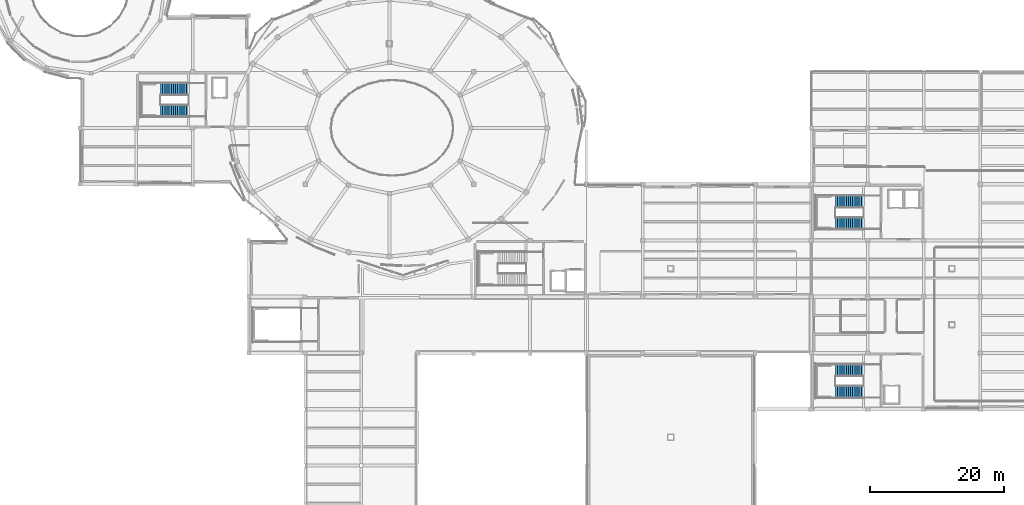
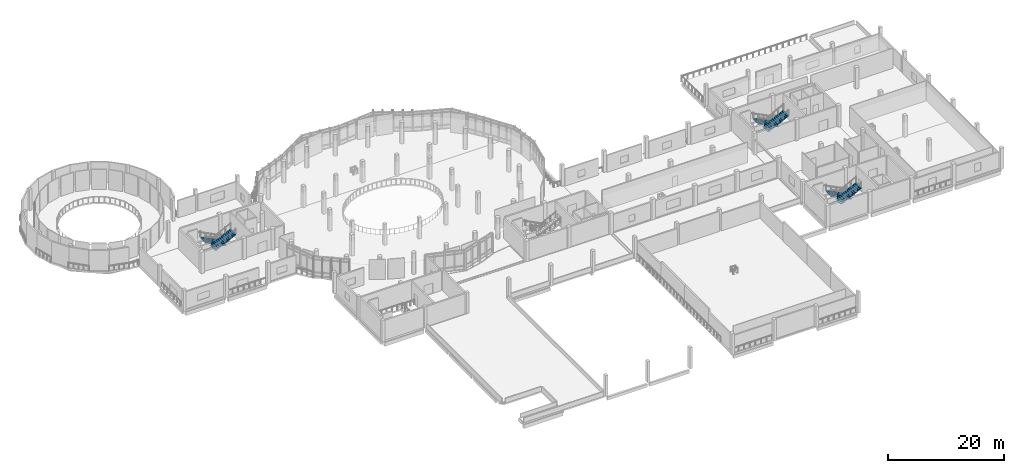
# One storey, part 34 of 46: 6 stair flights, 3 elements without a shape of their own.
"""IFC4 building model written with IfcOpenShell, lengths in metres."""

from ifc_helpers import new_model, si_unit, derived_unit, direction, frame, origin, place, context, subcontext, project, spatial, polyline, outline, extrude, material, type_object, element, aggregate, save


model = new_model("IFC4")

# Units and contexts
model_context = context("Model", 3, precision=1e-05, world=origin(), true_north=direction((0.0, 1.0)))
body_context = subcontext(model_context, "Body", "Model", "MODEL_VIEW")
ifc_project = project(units=[si_unit("LENGTHUNIT", "METRE"), si_unit("AREAUNIT", "SQUARE_METRE"), si_unit("VOLUMEUNIT", "CUBIC_METRE"), si_unit("PLANEANGLEUNIT", "RADIAN"), si_unit("MASSUNIT", "GRAM", prefix="KILO"), derived_unit("THERMALTRANSMITTANCEUNIT", [(si_unit("POWERUNIT", "WATT"), 1), (si_unit("LENGTHUNIT", "METRE"), -2), (si_unit("THERMODYNAMICTEMPERATUREUNIT", "KELVIN"), -1)])], contexts=[model_context])

# Site, building, storey
site_placement = place(None, origin())
site = spatial("IfcSite", under=ifc_project, at=site_placement, CompositionType="ELEMENT")
building_placement = place(site_placement, origin())
building = spatial("IfcBuilding", under=site, at=building_placement, Name="Elbkamm Science Centre", CompositionType="ELEMENT")
storey_placement = place(building_placement, frame((0.0, 0.0, 9.89990234375)))
storey = spatial("IfcBuildingStorey", under=building, at=storey_placement, Name="L02", CompositionType="ELEMENT", Elevation=9.89990234375)

# Stair, stair flights
ifc_material = material(Name="Reinforced concrete C40/50", Category="concrete")
stair_type = type_object("IfcStairType", Name="ST-TWO-28R-182", PredefinedType="USERDEFINED", material=ifc_material)
stair_1_placement = place(storey_placement, origin())
stair_1 = element("IfcStair", 1, at=stair_1_placement, inside=storey, type_object=stair_type, Name="L02 Core C1 Northwest Planetarium and Exhibition Core Escape Stair", ObjectType="TWO_RETURN_STAIR", PredefinedType="USERDEFINED")
stair_flight_type = type_object("IfcStairFlightType", Name="FLT-14R-161MM-182", PredefinedType="STRAIGHT", material=ifc_material)
stair_flight_1_placement = place(storey_placement, frame((32.97998046875, 73.010009765625, 0.0), z_axis=(0.0, 0.0, 1.0), x_axis=(-1.0, 0.0, 0.0)))
stair_flight_1 = element("IfcStairFlight", 2, at=stair_flight_1_placement, type_object=stair_flight_type, Name="ST-C1 flight 1", NumberOfRisers=14, NumberOfTreads=13, PredefinedType="STRAIGHT", RiserHeight=0.160714286, TreadLength=0.32, context=body_context, shape_type="SweptSolid", body=[
    extrude(outline(polyline([(0.0, 0.0), (0.0, 0.16064453125), (0.320068359375, 0.16064453125), (0.320068359375, 0.321533203125), (0.639892578125, 0.321533203125), (0.639892578125, 0.482177734375), (0.9599609375, 0.482177734375), (0.9599609375, 0.642822265625), (1.280029296875, 0.642822265625), (1.280029296875, 0.803466796875), (1.60009765625, 0.803466796875), (1.60009765625, 0.96435546875), (1.919921875, 0.96435546875), (1.919921875, 1.125), (2.239990234375, 1.125), (2.239990234375, 1.28564453125), (2.56005859375, 1.28564453125), (2.56005859375, 1.446533203125), (2.8798828125, 1.446533203125), (2.8798828125, 1.607177734375), (3.199951171875, 1.607177734375), (3.199951171875, 1.767822265625), (3.52001953125, 1.767822265625), (3.52001953125, 1.928466796875), (3.840087890625, 1.928466796875), (3.840087890625, 2.08935546875), (4.159912109375, 2.08935546875), (4.159912109375, 2.25), (4.159912109375, 1.910400390625), (0.356201171875, 0.0), (0.0, 0.0)])), frame((0.0, 0.91015625, 0.0), z_axis=(0.0, -1.0, 0.0), x_axis=(1.0, 0.0, 0.0)), (0.0, 0.0, 1.0), 1.820068359375),
])
stair_flight_2_placement = place(storey_placement, frame((28.820068359375, 69.7900390625, 2.25), z_axis=(0.0, 0.0, 1.0), x_axis=(1.0, 0.0, 0.0)))
stair_flight_2 = element("IfcStairFlight", 3, at=stair_flight_2_placement, type_object=stair_flight_type, Name="ST-C1 flight 2", NumberOfRisers=14, NumberOfTreads=13, PredefinedType="STRAIGHT", RiserHeight=0.160714286, TreadLength=0.32, context=body_context, shape_type="SweptSolid", body=[
    extrude(outline(polyline([(0.0, 0.0), (0.0, 0.16064453125), (0.320068359375, 0.16064453125), (0.320068359375, 0.321533203125), (0.639892578125, 0.321533203125), (0.639892578125, 0.482177734375), (0.9599609375, 0.482177734375), (0.9599609375, 0.642822265625), (1.280029296875, 0.642822265625), (1.280029296875, 0.803466796875), (1.60009765625, 0.803466796875), (1.60009765625, 0.96435546875), (1.919921875, 0.96435546875), (1.919921875, 1.125), (2.239990234375, 1.125), (2.239990234375, 1.28564453125), (2.56005859375, 1.28564453125), (2.56005859375, 1.446533203125), (2.8798828125, 1.446533203125), (2.8798828125, 1.607177734375), (3.199951171875, 1.607177734375), (3.199951171875, 1.767822265625), (3.52001953125, 1.767822265625), (3.52001953125, 1.928466796875), (3.840087890625, 1.928466796875), (3.840087890625, 2.08935546875), (4.159912109375, 2.08935546875), (4.159912109375, 2.25), (4.159912109375, 1.910400390625), (0.356201171875, 0.0), (0.0, 0.0)])), frame((0.0, 0.91015625, 0.0), z_axis=(0.0, -1.0, 0.0), x_axis=(1.0, 0.0, 0.0)), (0.0, 0.0, 1.0), 1.820068359375),
])
aggregate(stair_1, [stair_flight_1, stair_flight_2])

stair_2_placement = place(storey_placement, origin())
stair_2 = element("IfcStair", 4, at=stair_2_placement, inside=storey, type_object=stair_type, Name="L02 Core C3 Northeast Laboratories and Observatory Core Escape Stair", ObjectType="TWO_RETURN_STAIR", PredefinedType="USERDEFINED")
stair_flight_3_placement = place(storey_placement, frame((133.780029296875, 56.2099609375, 0.0), z_axis=(0.0, 0.0, 1.0), x_axis=(-1.0, 0.0, 0.0)))
stair_flight_3 = element("IfcStairFlight", 5, at=stair_flight_3_placement, type_object=stair_flight_type, Name="ST-C3 flight 1", NumberOfRisers=14, NumberOfTreads=13, PredefinedType="STRAIGHT", RiserHeight=0.160714286, TreadLength=0.32, context=body_context, shape_type="SweptSolid", body=[
    extrude(outline(polyline([(0.0, 0.0), (0.0, 0.16064453125), (0.320068359375, 0.16064453125), (0.320068359375, 0.321533203125), (0.639892578125, 0.321533203125), (0.639892578125, 0.482177734375), (0.9599609375, 0.482177734375), (0.9599609375, 0.642822265625), (1.280029296875, 0.642822265625), (1.280029296875, 0.803466796875), (1.60009765625, 0.803466796875), (1.60009765625, 0.96435546875), (1.919921875, 0.96435546875), (1.919921875, 1.125), (2.239990234375, 1.125), (2.239990234375, 1.28564453125), (2.56005859375, 1.28564453125), (2.56005859375, 1.446533203125), (2.8798828125, 1.446533203125), (2.8798828125, 1.607177734375), (3.199951171875, 1.607177734375), (3.199951171875, 1.767822265625), (3.52001953125, 1.767822265625), (3.52001953125, 1.928466796875), (3.840087890625, 1.928466796875), (3.840087890625, 2.08935546875), (4.159912109375, 2.08935546875), (4.159912109375, 2.25), (4.159912109375, 1.910400390625), (0.356201171875, 0.0), (0.0, 0.0)])), frame((0.0, 0.91015625, 0.0), z_axis=(0.0, -1.0, 0.0), x_axis=(1.0, 0.0, 0.0)), (0.0, 0.0, 1.0), 1.820068359375),
])
stair_flight_4_placement = place(storey_placement, frame((129.6201171875, 52.989990234375, 2.25), z_axis=(0.0, 0.0, 1.0), x_axis=(1.0, 0.0, 0.0)))
stair_flight_4 = element("IfcStairFlight", 6, at=stair_flight_4_placement, type_object=stair_flight_type, Name="ST-C3 flight 2", NumberOfRisers=14, NumberOfTreads=13, PredefinedType="STRAIGHT", RiserHeight=0.160714286, TreadLength=0.32, context=body_context, shape_type="SweptSolid", body=[
    extrude(outline(polyline([(0.0, 0.0), (0.0, 0.16064453125), (0.320068359375, 0.16064453125), (0.320068359375, 0.321533203125), (0.639892578125, 0.321533203125), (0.639892578125, 0.482177734375), (0.9599609375, 0.482177734375), (0.9599609375, 0.642822265625), (1.280029296875, 0.642822265625), (1.280029296875, 0.803466796875), (1.60009765625, 0.803466796875), (1.60009765625, 0.96435546875), (1.919921875, 0.96435546875), (1.919921875, 1.125), (2.239990234375, 1.125), (2.239990234375, 1.28564453125), (2.56005859375, 1.28564453125), (2.56005859375, 1.446533203125), (2.8798828125, 1.446533203125), (2.8798828125, 1.607177734375), (3.199951171875, 1.607177734375), (3.199951171875, 1.767822265625), (3.52001953125, 1.767822265625), (3.52001953125, 1.928466796875), (3.840087890625, 1.928466796875), (3.840087890625, 2.08935546875), (4.159912109375, 2.08935546875), (4.159912109375, 2.25), (4.159912109375, 1.910400390625), (0.356201171875, 0.0), (0.0, 0.0)])), frame((0.0, 0.91015625, 0.0), z_axis=(0.0, -1.0, 0.0), x_axis=(1.0, 0.0, 0.0)), (0.0, 0.0, 1.0), 1.820068359375),
])
aggregate(stair_2, [stair_flight_3, stair_flight_4])

stair_3_placement = place(storey_placement, origin())
stair_3 = element("IfcStair", 7, at=stair_3_placement, inside=storey, type_object=stair_type, Name="L02 Core C4 Southeast Workshops and Library Core Escape Stair", ObjectType="TWO_RETURN_STAIR", PredefinedType="USERDEFINED")
stair_flight_5_placement = place(storey_placement, frame((133.780029296875, 31.010009765625, 0.0), z_axis=(0.0, 0.0, 1.0), x_axis=(-1.0, 0.0, 0.0)))
stair_flight_5 = element("IfcStairFlight", 8, at=stair_flight_5_placement, type_object=stair_flight_type, Name="ST-C4 flight 1", NumberOfRisers=14, NumberOfTreads=13, PredefinedType="STRAIGHT", RiserHeight=0.160714286, TreadLength=0.32, context=body_context, shape_type="SweptSolid", body=[
    extrude(outline(polyline([(0.0, 0.0), (0.0, 0.16064453125), (0.320068359375, 0.16064453125), (0.320068359375, 0.321533203125), (0.639892578125, 0.321533203125), (0.639892578125, 0.482177734375), (0.9599609375, 0.482177734375), (0.9599609375, 0.642822265625), (1.280029296875, 0.642822265625), (1.280029296875, 0.803466796875), (1.60009765625, 0.803466796875), (1.60009765625, 0.96435546875), (1.919921875, 0.96435546875), (1.919921875, 1.125), (2.239990234375, 1.125), (2.239990234375, 1.28564453125), (2.56005859375, 1.28564453125), (2.56005859375, 1.446533203125), (2.8798828125, 1.446533203125), (2.8798828125, 1.607177734375), (3.199951171875, 1.607177734375), (3.199951171875, 1.767822265625), (3.52001953125, 1.767822265625), (3.52001953125, 1.928466796875), (3.840087890625, 1.928466796875), (3.840087890625, 2.08935546875), (4.159912109375, 2.08935546875), (4.159912109375, 2.25), (4.159912109375, 1.910400390625), (0.356201171875, 0.0), (0.0, 0.0)])), frame((0.0, 0.91015625, 0.0), z_axis=(0.0, -1.0, 0.0), x_axis=(1.0, 0.0, 0.0)), (0.0, 0.0, 1.0), 1.820068359375),
])
stair_flight_6_placement = place(storey_placement, frame((129.6201171875, 27.7900390625, 2.25), z_axis=(0.0, 0.0, 1.0), x_axis=(1.0, 0.0, 0.0)))
stair_flight_6 = element("IfcStairFlight", 9, at=stair_flight_6_placement, type_object=stair_flight_type, Name="ST-C4 flight 2", NumberOfRisers=14, NumberOfTreads=13, PredefinedType="STRAIGHT", RiserHeight=0.160714286, TreadLength=0.32, context=body_context, shape_type="SweptSolid", body=[
    extrude(outline(polyline([(0.0, 0.0), (0.0, 0.16064453125), (0.320068359375, 0.16064453125), (0.320068359375, 0.321533203125), (0.639892578125, 0.321533203125), (0.639892578125, 0.482177734375), (0.9599609375, 0.482177734375), (0.9599609375, 0.642822265625), (1.280029296875, 0.642822265625), (1.280029296875, 0.803466796875), (1.60009765625, 0.803466796875), (1.60009765625, 0.96435546875), (1.919921875, 0.96435546875), (1.919921875, 1.125), (2.239990234375, 1.125), (2.239990234375, 1.28564453125), (2.56005859375, 1.28564453125), (2.56005859375, 1.446533203125), (2.8798828125, 1.446533203125), (2.8798828125, 1.607177734375), (3.199951171875, 1.607177734375), (3.199951171875, 1.767822265625), (3.52001953125, 1.767822265625), (3.52001953125, 1.928466796875), (3.840087890625, 1.928466796875), (3.840087890625, 2.08935546875), (4.159912109375, 2.08935546875), (4.159912109375, 2.25), (4.159912109375, 1.910400390625), (0.356201171875, 0.0), (0.0, 0.0)])), frame((0.0, 0.91015625, 0.0), z_axis=(0.0, -1.0, 0.0), x_axis=(1.0, 0.0, 0.0)), (0.0, 0.0, 1.0), 1.820068359375),
])
aggregate(stair_3, [stair_flight_5, stair_flight_6])

save(model, "model.ifc")
